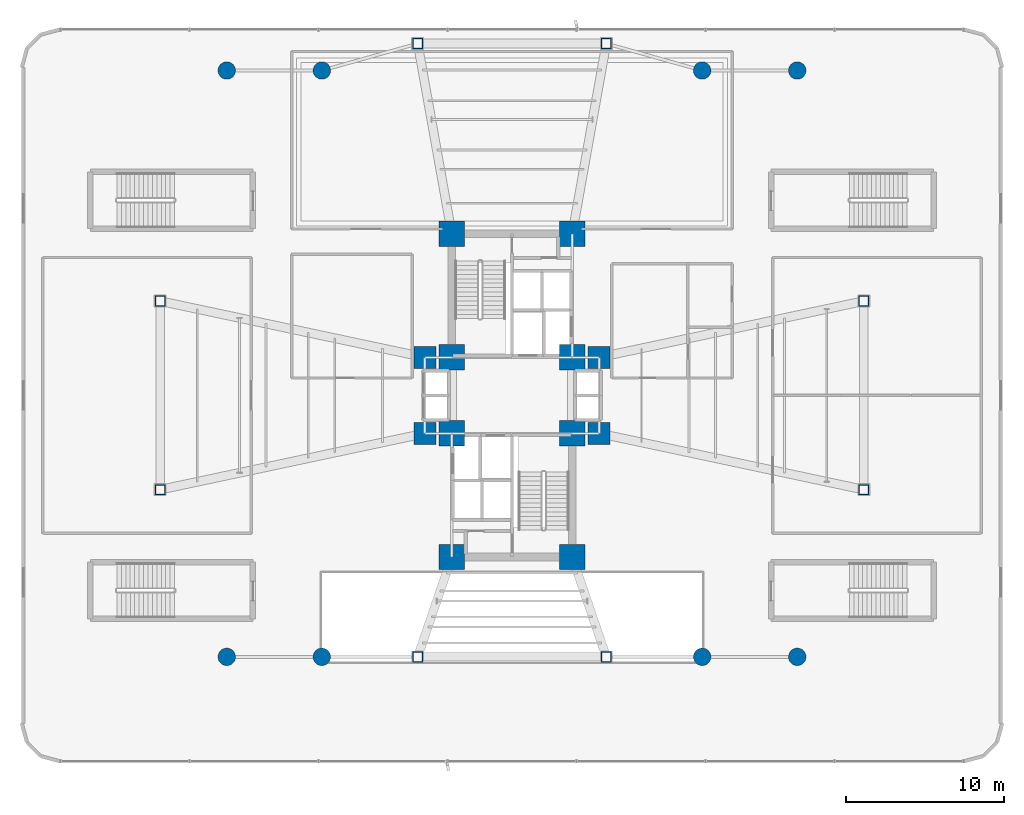
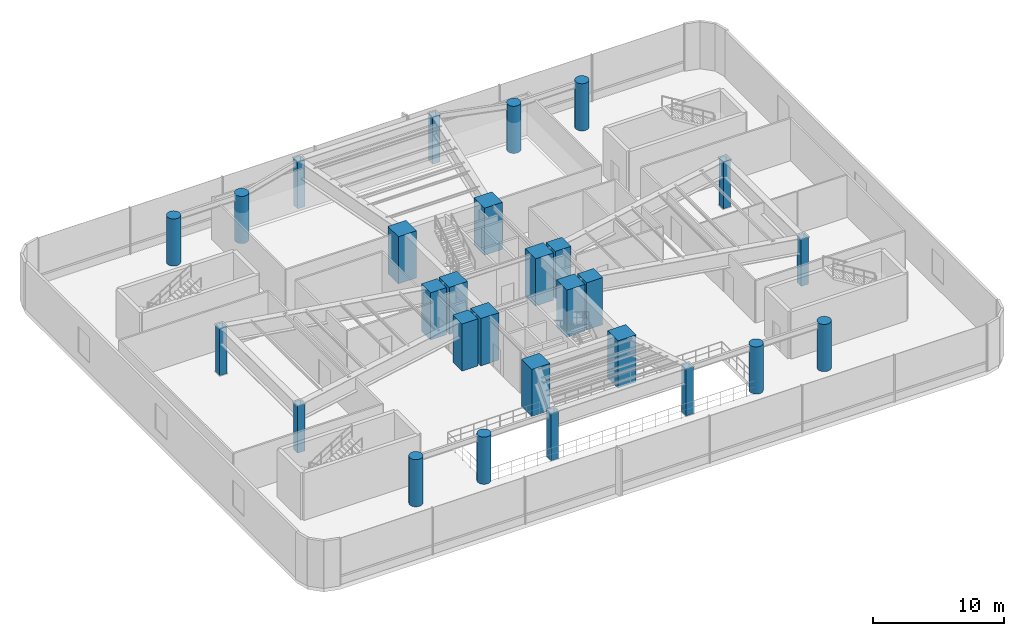
# One storey, part 1 of 22: 28 columns.
"""IFC4 building model written with IfcOpenShell, lengths in metres."""

from ifc_helpers import new_model, si_unit, direction, frame, origin, origin_2d, place, context, subcontext, project, spatial, rectangle, hollow_rectangle, circle, extrude, source, transform, mapped, material, material_profile, profile_set, type_object, element, save


model = new_model("IFC4")

# Units and contexts
model_context = context("Model", 3, precision=1e-05, world=origin(), true_north=direction((0.0, 1.0)))
body_context = subcontext(model_context, "Body", "Model", "MODEL_VIEW")
ifc_project = project(units=[si_unit("LENGTHUNIT", "METRE"), si_unit("AREAUNIT", "SQUARE_METRE"), si_unit("VOLUMEUNIT", "CUBIC_METRE"), si_unit("PLANEANGLEUNIT", "RADIAN"), si_unit("MASSUNIT", "GRAM", prefix="KILO")], contexts=[model_context])

# Site, building, storey
site_placement = place(None, origin())
site = spatial("IfcSite", under=ifc_project, at=site_placement, CompositionType="ELEMENT")
building_placement = place(site_placement, origin())
building = spatial("IfcBuilding", under=site, at=building_placement, Name="Sahyath Konkavel Grand Hotel", CompositionType="ELEMENT")
storey_placement = place(building_placement, frame((0.0, 0.0, 9.300048828125)))
storey = spatial("IfcBuildingStorey", under=building, at=storey_placement, Name="L02", CompositionType="ELEMENT", Elevation=9.300048828125)

# Columns
ifc_material_1 = material(Name="Concrete C70/85", Category="concrete")
ifc_material_profile_1 = material_profile(ifc_material_1, rectangle(XDim=1.60009765625, YDim=1.60009765625, at=origin_2d()), Name="RC 1600x1600")
ifc_profile_set_1 = profile_set([ifc_material_profile_1], Name="Concrete C70/85")
column_type_1 = type_object("IfcColumnType", Name="COL-RC1600", PredefinedType="COLUMN", material=ifc_profile_set_1)
shared_shape_1 = source(origin(), body_context, "Body", "SweptSolid", [
    extrude(rectangle(XDim=1.60009765625, YDim=1.60009765625, at=origin_2d()), origin(), (0.0, 0.0, 1.0), 4.39990234375),
])
for number, where, z_axis, x_axis, name in (
    (1, (-3.800048828125, 2.39990234375, 0.0), (0.0, 0.0, 1.0), (1.0, 0.0, 0.0), "L02 Core Boundary Column NC-SW"),
    (2, (3.800048828125, 2.39990234375, 0.0), (0.0, 0.0, 1.0), (1.0, 0.0, 0.0), "L02 Core Boundary Column NC-SE"),
    (3, (-3.800048828125, 10.199951171875, 0.0), (0.0, 0.0, 1.0), (1.0, 0.0, 0.0), "L02 Core Boundary Column NC-NW"),
    (4, (3.800048828125, 10.199951171875, 0.0), (0.0, 0.0, 1.0), (1.0, 0.0, 0.0), "L02 Core Boundary Column NC-NE"),
    (5, (-3.800048828125, -2.39990234375, 0.0), (0.0, 0.0, 1.0), (1.0, 0.0, 0.0), "L02 Core Boundary Column SC-NW"),
    (6, (3.800048828125, -2.39990234375, 0.0), (0.0, 0.0, 1.0), (1.0, 0.0, 0.0), "L02 Core Boundary Column SC-NE"),
    (7, (-3.800048828125, -10.199951171875, 0.0), (0.0, 0.0, 1.0), (1.0, 0.0, 0.0), "L02 Core Boundary Column SC-SW"),
    (8, (3.800048828125, -10.199951171875, 0.0), (0.0, 0.0, 1.0), (1.0, 0.0, 0.0), "L02 Core Boundary Column SC-SE"),
):
    element("IfcColumn", number, at=place(storey_placement, frame(where, z_axis=z_axis, x_axis=x_axis)), inside=storey, type_object=column_type_1, Name=name, PredefinedType="COLUMN", context=body_context, shape_type="MappedRepresentation", body=[
        mapped(shared_shape_1, transform((0.0, 0.0, 0.0), scale=1.0)),
    ])
ifc_material_profile_2 = material_profile(ifc_material_1, rectangle(XDim=1.39990234375, YDim=1.39990234375, at=origin_2d()), Name="RC 1400x1400")
ifc_profile_set_2 = profile_set([ifc_material_profile_2], Name="Concrete C70/85")
column_type_2 = type_object("IfcColumnType", Name="COL-RC1400", PredefinedType="COLUMN", material=ifc_profile_set_2)
shared_shape_2 = source(origin(), body_context, "Body", "SweptSolid", [
    extrude(rectangle(XDim=1.39990234375, YDim=1.39990234375, at=origin_2d()), origin(), (0.0, 0.0, 1.0), 4.39990234375),
])
for number, where, z_axis, x_axis, name in (
    (9, (5.5, 2.39990234375, 0.0), (0.0, 0.0, 1.0), (1.0, 0.0, 0.0), "L02 Central Spine Column HB-NE"),
    (10, (-5.5, 2.39990234375, 0.0), (0.0, 0.0, 1.0), (1.0, 0.0, 0.0), "L02 Central Spine Column HB-NW"),
    (11, (5.5, -2.39990234375, 0.0), (0.0, 0.0, 1.0), (1.0, 0.0, 0.0), "L02 Central Spine Column HB-SE"),
    (12, (-5.5, -2.39990234375, 0.0), (0.0, 0.0, 1.0), (1.0, 0.0, 0.0), "L02 Central Spine Column HB-SW"),
):
    element("IfcColumn", number, at=place(storey_placement, frame(where, z_axis=z_axis, x_axis=x_axis)), inside=storey, type_object=column_type_2, Name=name, PredefinedType="COLUMN", context=body_context, shape_type="MappedRepresentation", body=[
        mapped(shared_shape_2, transform((0.0, 0.0, 0.0), scale=1.0)),
    ])
ifc_material_2 = material(Name="Steel E450", Category="steel")
ifc_material_profile_3 = material_profile(ifc_material_2, hollow_rectangle(XDim=0.64990234375, YDim=0.64990234375, WallThickness=0.031982421875, at=origin_2d()), Name="BOX 650x650x32")
ifc_profile_set_3 = profile_set([ifc_material_profile_3], Name="Steel E450")
column_type_3 = type_object("IfcColumnType", Name="COL-BOX650", PredefinedType="COLUMN", material=ifc_profile_set_3)
shared_shape_3 = source(origin(), body_context, "Body", "SweptSolid", [
    extrude(hollow_rectangle(XDim=0.64990234375, YDim=0.64990234375, WallThickness=0.031982421875, at=origin_2d()), origin(), (0.0, 0.0, 1.0), 4.39990234375),
])
for number, where, z_axis, x_axis, name in (
    (13, (22.199951171875, -5.949951171875, 0.0), (0.0, 0.0, 1.0), (1.0, 0.0, 0.0), "L02 Ballroom Mega-Column MC-EA"),
    (14, (22.199951171875, 5.949951171875, 0.0), (0.0, 0.0, 1.0), (1.0, 0.0, 0.0), "L02 Ballroom Mega-Column MC-EB"),
    (15, (5.949951171875, 22.199951171875, 0.0), (0.0, 0.0, 1.0), (1.0, 0.0, 0.0), "L02 Ballroom Mega-Column MC-NA"),
    (16, (-5.949951171875, 22.199951171875, 0.0), (0.0, 0.0, 1.0), (1.0, 0.0, 0.0), "L02 Ballroom Mega-Column MC-NB"),
    (17, (-22.199951171875, 5.949951171875, 0.0), (0.0, 0.0, 1.0), (1.0, 0.0, 0.0), "L02 Ballroom Mega-Column MC-WA"),
    (18, (-22.199951171875, -5.949951171875, 0.0), (0.0, 0.0, 1.0), (1.0, 0.0, 0.0), "L02 Ballroom Mega-Column MC-WB"),
    (19, (-5.949951171875, -16.5, 0.0), (0.0, 0.0, 1.0), (1.0, 0.0, 0.0), "L02 Ballroom Mega-Column MC-SA"),
    (20, (5.949951171875, -16.5, 0.0), (0.0, 0.0, 1.0), (1.0, 0.0, 0.0), "L02 Ballroom Mega-Column MC-SB"),
):
    element("IfcColumn", number, at=place(storey_placement, frame(where, z_axis=z_axis, x_axis=x_axis)), inside=storey, type_object=column_type_3, Name=name, PredefinedType="COLUMN", context=body_context, shape_type="MappedRepresentation", body=[
        mapped(shared_shape_3, transform((0.0, 0.0, 0.0), scale=1.0)),
    ])
ifc_material_profile_4 = material_profile(ifc_material_1, circle(Radius=0.550048828125, at=origin_2d()), Name="RC D1100")
ifc_profile_set_4 = profile_set([ifc_material_profile_4], Name="Concrete C70/85")
column_type_4 = type_object("IfcColumnType", Name="COL-RCD1100", PredefinedType="COLUMN", material=ifc_profile_set_4)
shared_shape_4 = source(origin(), body_context, "Body", "SweptSolid", [
    extrude(circle(Radius=0.550048828125, at=origin_2d()), origin(), (0.0, 0.0, 1.0), 4.39990234375),
])
for number, where, z_axis, x_axis, name in (
    (21, (-18.0, 20.5, 0.0), (0.0, 0.0, 1.0), (1.0, 0.0, 0.0), "L02 Sandstone Colonnade Pier CL-N1"),
    (22, (-12.0, 20.5, 0.0), (0.0, 0.0, 1.0), (1.0, 0.0, 0.0), "L02 Sandstone Colonnade Pier CL-N2"),
    (23, (12.0, 20.5, 0.0), (0.0, 0.0, 1.0), (1.0, 0.0, 0.0), "L02 Sandstone Colonnade Pier CL-N3"),
    (24, (18.0, 20.5, 0.0), (0.0, 0.0, 1.0), (1.0, 0.0, 0.0), "L02 Sandstone Colonnade Pier CL-N4"),
    (25, (-18.0, -16.5, 0.0), (0.0, 0.0, 1.0), (1.0, 0.0, 0.0), "L02 Sandstone Colonnade Pier CL-S1"),
    (26, (-12.0, -16.5, 0.0), (0.0, 0.0, 1.0), (1.0, 0.0, 0.0), "L02 Sandstone Colonnade Pier CL-S2"),
    (27, (12.0, -16.5, 0.0), (0.0, 0.0, 1.0), (1.0, 0.0, 0.0), "L02 Sandstone Colonnade Pier CL-S3"),
    (28, (18.0, -16.5, 0.0), (0.0, 0.0, 1.0), (1.0, 0.0, 0.0), "L02 Sandstone Colonnade Pier CL-S4"),
):
    element("IfcColumn", number, at=place(storey_placement, frame(where, z_axis=z_axis, x_axis=x_axis)), inside=storey, type_object=column_type_4, Name=name, PredefinedType="COLUMN", context=body_context, shape_type="MappedRepresentation", body=[
        mapped(shared_shape_4, transform((0.0, 0.0, 0.0), scale=1.0)),
    ])

save(model, "model.ifc")
